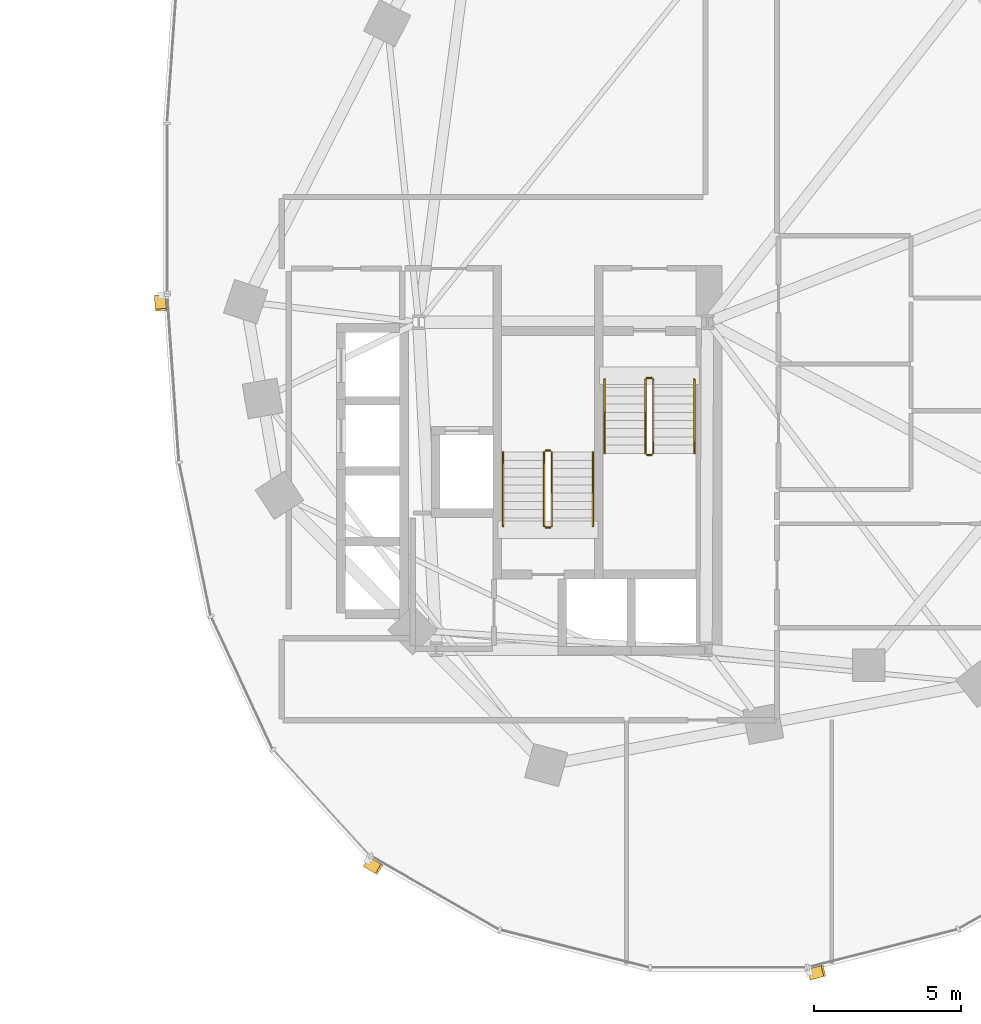
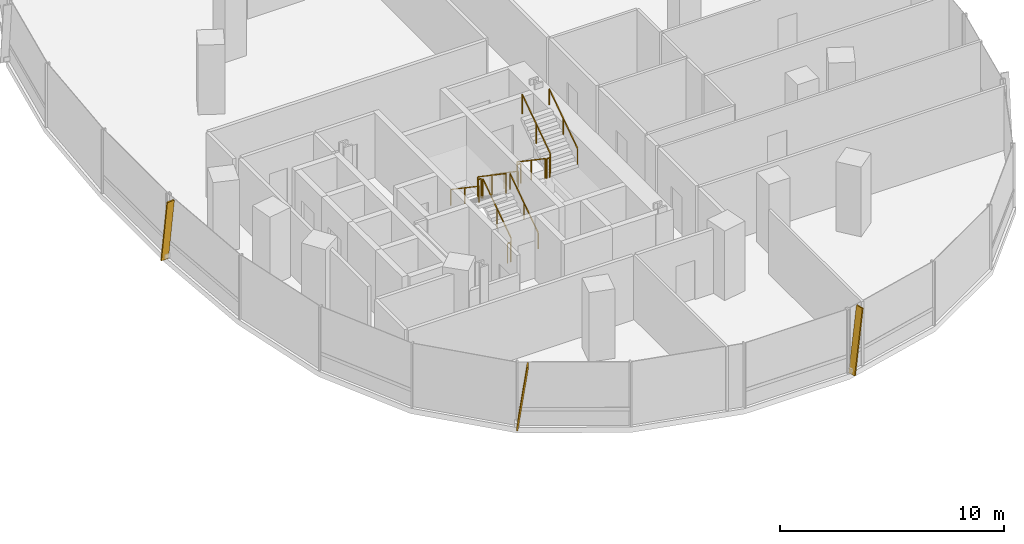
# One storey, part 20 of 21: 12 railings, 3 shading devices.
"""IFC4 building model written with IfcOpenShell, lengths in metres."""

from ifc_helpers import new_model, si_unit, direction, frame, origin, origin_2d, place, context, subcontext, project, spatial, rectangle, extrude, material, material_profile, profile_set, type_object, element, save


model = new_model("IFC4")

# Units and contexts
model_context = context("Model", 3, precision=1e-05, world=origin(), true_north=direction((0.0, 1.0)))
body_context = subcontext(model_context, "Body", "Model", "MODEL_VIEW")
ifc_project = project(units=[si_unit("LENGTHUNIT", "METRE"), si_unit("AREAUNIT", "SQUARE_METRE"), si_unit("VOLUMEUNIT", "CUBIC_METRE"), si_unit("PLANEANGLEUNIT", "RADIAN"), si_unit("MASSUNIT", "GRAM", prefix="KILO"), si_unit("THERMODYNAMICTEMPERATUREUNIT", "KELVIN"), si_unit("POWERUNIT", "WATT")], contexts=[model_context])

# Site, building, storey
site_placement = place(None, origin())
site = spatial("IfcSite", under=ifc_project, at=site_placement, CompositionType="ELEMENT")
building_placement = place(site_placement, origin())
building = spatial("IfcBuilding", under=site, at=building_placement, Name="Cundina Bronze Exchange", CompositionType="ELEMENT")
storey_placement = place(building_placement, frame((0.0, 0.0, 31.60009765625)))
storey = spatial("IfcBuildingStorey", under=building, at=storey_placement, Name="L07", CompositionType="ELEMENT", Elevation=31.60009765625)

# Railings
ifc_material_1 = material(Name="Steel ASTM A36 Painted", Category="steel")
railing_type_1 = type_object("IfcRailingType", Name="RLG-HND-900", PredefinedType="HANDRAIL", material=ifc_material_1)
railing_1_placement = place(storey_placement, frame((27.7900390625, -5.85009765625, 0.18994140625)))
element("IfcRailing", 1, at=railing_1_placement, inside=storey, type_object=railing_type_1, Name="L07 ST-E1 stair handrail 1", PredefinedType="HANDRAIL", context=body_context, shape_type="SweptSolid", body=[
    extrude(rectangle(XDim=0.048095703125, YDim=0.048095703125, at=origin_2d()), frame((0.0, 0.0, 0.8759765625), z_axis=(0.0, -0.827483756001, 0.561489655786), x_axis=(1.0, 0.0, 0.0)), (0.0, 0.0, 1.0), 3.04541015625),
    extrude(rectangle(XDim=0.0419921875, YDim=0.0419921875, at=origin_2d()), origin(), (0.0, 0.0, 1.0), 0.851806640625),
    extrude(rectangle(XDim=0.0419921875, YDim=0.0419921875, at=origin_2d()), frame((0.0, -1.260009765625, 0.85498046875)), (0.0, 0.0, 1.0), 0.851806640625),
    extrude(rectangle(XDim=0.0419921875, YDim=0.0419921875, at=origin_2d()), frame((0.0, -2.52001953125, 1.7099609375)), (0.0, 0.0, 1.0), 0.851806640625),
])
for number, where, name in (
    (2, (30.85009765625, -8.3701171875, 2.08984375), "L07 ST-E1 stair handrail 2"),
    (3, (27.389892578125, -10.85009765625, 0.18994140625), "L07 ST-E2 stair handrail 1"),
):
    element("IfcRailing", number, at=place(storey_placement, frame(where)), inside=storey, type_object=railing_type_1, Name=name, PredefinedType="HANDRAIL", context=body_context, shape_type="SweptSolid", body=[
        extrude(rectangle(XDim=0.048095703125, YDim=0.048095703125, at=origin_2d()), frame((0.0, 0.0, 0.8759765625), z_axis=(0.0, 0.827483756001, 0.561489655786), x_axis=(-1.0, 0.0, 0.0)), (0.0, 0.0, 1.0), 3.04541015625),
        extrude(rectangle(XDim=0.0419921875, YDim=0.0419921875, at=origin_2d()), origin(), (0.0, 0.0, 1.0), 0.851806640625),
        extrude(rectangle(XDim=0.0419921875, YDim=0.0419921875, at=origin_2d()), frame((0.0, 1.260009765625, 0.85498046875)), (0.0, 0.0, 1.0), 0.851806640625),
        extrude(rectangle(XDim=0.0419921875, YDim=0.0419921875, at=origin_2d()), frame((0.0, 2.52001953125, 1.7099609375)), (0.0, 0.0, 1.0), 0.851806640625),
    ])
railing_2_placement = place(storey_placement, frame((24.330078125, -8.330078125, 2.08984375)))
element("IfcRailing", 4, at=railing_2_placement, inside=storey, type_object=railing_type_1, Name="L07 ST-E2 stair handrail 2", PredefinedType="HANDRAIL", context=body_context, shape_type="SweptSolid", body=[
    extrude(rectangle(XDim=0.048095703125, YDim=0.048095703125, at=origin_2d()), frame((0.0, 0.0, 0.8759765625), z_axis=(0.0, -0.827483756001, 0.561489655786), x_axis=(1.0, 0.0, 0.0)), (0.0, 0.0, 1.0), 3.04541015625),
    extrude(rectangle(XDim=0.0419921875, YDim=0.0419921875, at=origin_2d()), origin(), (0.0, 0.0, 1.0), 0.851806640625),
    extrude(rectangle(XDim=0.0419921875, YDim=0.0419921875, at=origin_2d()), frame((0.0, -1.260009765625, 0.85498046875)), (0.0, 0.0, 1.0), 0.851806640625),
    extrude(rectangle(XDim=0.0419921875, YDim=0.0419921875, at=origin_2d()), frame((0.0, -2.52001953125, 1.7099609375)), (0.0, 0.0, 1.0), 0.851806640625),
])
railing_type_2 = type_object("IfcRailingType", Name="RLG-STG-1100", PredefinedType="GUARDRAIL", material=ifc_material_1)
railing_3_placement = place(storey_placement, frame((29.18994140625, -5.85009765625, 0.18994140625)))
element("IfcRailing", 5, at=railing_3_placement, inside=storey, type_object=railing_type_2, Name="L07 ST-E1 stair guard 1", PredefinedType="GUARDRAIL", context=body_context, shape_type="SweptSolid", body=[
    extrude(rectangle(XDim=0.048095703125, YDim=0.048095703125, at=origin_2d()), frame((0.0, 0.0, 1.076171875), z_axis=(0.0, -0.827483756001, 0.561489655786), x_axis=(1.0, 0.0, 0.0)), (0.0, 0.0, 1.0), 3.04541015625),
    extrude(rectangle(XDim=0.0419921875, YDim=0.0419921875, at=origin_2d()), origin(), (0.0, 0.0, 1.0), 1.052001953125),
    extrude(rectangle(XDim=0.0419921875, YDim=0.0419921875, at=origin_2d()), frame((0.0, -1.260009765625, 0.85498046875)), (0.0, 0.0, 1.0), 1.052001953125),
    extrude(rectangle(XDim=0.0419921875, YDim=0.0419921875, at=origin_2d()), frame((0.0, -2.52001953125, 1.7099609375)), (0.0, 0.0, 1.0), 1.052001953125),
])
railing_4_placement = place(storey_placement, frame((29.239990234375, -8.419921875, 1.89990234375)))
element("IfcRailing", 6, at=railing_4_placement, inside=storey, type_object=railing_type_2, Name="L07 ST-E1 stair guard 2", PredefinedType="GUARDRAIL", context=body_context, shape_type="SweptSolid", body=[
    extrude(rectangle(XDim=0.048095703125, YDim=0.048095703125, at=origin_2d()), frame((0.0, 0.0, 1.076171875), z_axis=(1.0, 0.0, 0.0), x_axis=(0.0, 1.0, 0.0)), (0.0, 0.0, 1.0), 0.159912109375),
    extrude(rectangle(XDim=0.0419921875, YDim=0.0419921875, at=origin_2d()), origin(), (0.0, 0.0, 1.0), 1.052001953125),
    extrude(rectangle(XDim=0.0419921875, YDim=0.0419921875, at=origin_2d()), frame((0.159912109375, 0.0, 0.0)), (0.0, 0.0, 1.0), 1.052001953125),
])
railing_5_placement = place(storey_placement, frame((29.449951171875, -8.3701171875, 2.08984375)))
element("IfcRailing", 7, at=railing_5_placement, inside=storey, type_object=railing_type_2, Name="L07 ST-E1 stair guard 3", PredefinedType="GUARDRAIL", context=body_context, shape_type="SweptSolid", body=[
    extrude(rectangle(XDim=0.048095703125, YDim=0.048095703125, at=origin_2d()), frame((0.0, 0.0, 1.076171875), z_axis=(0.0, 0.827483756001, 0.561489655786), x_axis=(-1.0, 0.0, 0.0)), (0.0, 0.0, 1.0), 3.04541015625),
    extrude(rectangle(XDim=0.0419921875, YDim=0.0419921875, at=origin_2d()), origin(), (0.0, 0.0, 1.0), 1.052001953125),
    extrude(rectangle(XDim=0.0419921875, YDim=0.0419921875, at=origin_2d()), frame((0.0, 1.260009765625, 0.85498046875)), (0.0, 0.0, 1.0), 1.052001953125),
    extrude(rectangle(XDim=0.0419921875, YDim=0.0419921875, at=origin_2d()), frame((0.0, 2.52001953125, 1.7099609375)), (0.0, 0.0, 1.0), 1.052001953125),
])
railing_6_placement = place(storey_placement, frame((29.239990234375, -5.800048828125, 0.0)))
element("IfcRailing", 8, at=railing_6_placement, inside=storey, type_object=railing_type_2, Name="L07 ST-E1 stair guard 4", PredefinedType="GUARDRAIL", context=body_context, shape_type="SweptSolid", body=[
    extrude(rectangle(XDim=0.048095703125, YDim=0.048095703125, at=origin_2d()), frame((0.0, 0.0, 1.076171875), z_axis=(1.0, 0.0, 0.0), x_axis=(0.0, 1.0, 0.0)), (0.0, 0.0, 1.0), 0.159912109375),
    extrude(rectangle(XDim=0.0419921875, YDim=0.0419921875, at=origin_2d()), origin(), (0.0, 0.0, 1.0), 1.052001953125),
    extrude(rectangle(XDim=0.0419921875, YDim=0.0419921875, at=origin_2d()), frame((0.159912109375, 0.0, 0.0)), (0.0, 0.0, 1.0), 1.052001953125),
])
railing_7_placement = place(storey_placement, frame((25.989990234375, -10.85009765625, 0.18994140625)))
element("IfcRailing", 9, at=railing_7_placement, inside=storey, type_object=railing_type_2, Name="L07 ST-E2 stair guard 1", PredefinedType="GUARDRAIL", context=body_context, shape_type="SweptSolid", body=[
    extrude(rectangle(XDim=0.048095703125, YDim=0.048095703125, at=origin_2d()), frame((0.0, 0.0, 1.076171875), z_axis=(0.0, 0.827483756001, 0.561489655786), x_axis=(-1.0, 0.0, 0.0)), (0.0, 0.0, 1.0), 3.04541015625),
    extrude(rectangle(XDim=0.0419921875, YDim=0.0419921875, at=origin_2d()), origin(), (0.0, 0.0, 1.0), 1.052001953125),
    extrude(rectangle(XDim=0.0419921875, YDim=0.0419921875, at=origin_2d()), frame((0.0, 1.260009765625, 0.85498046875)), (0.0, 0.0, 1.0), 1.052001953125),
    extrude(rectangle(XDim=0.0419921875, YDim=0.0419921875, at=origin_2d()), frame((0.0, 2.52001953125, 1.7099609375)), (0.0, 0.0, 1.0), 1.052001953125),
])
railing_8_placement = place(storey_placement, frame((25.93994140625, -8.280029296875, 1.89990234375)))
element("IfcRailing", 10, at=railing_8_placement, inside=storey, type_object=railing_type_2, Name="L07 ST-E2 stair guard 2", PredefinedType="GUARDRAIL", context=body_context, shape_type="SweptSolid", body=[
    extrude(rectangle(XDim=0.048095703125, YDim=0.048095703125, at=origin_2d()), frame((0.0, 0.0, 1.076171875), z_axis=(-1.0, 0.0, 0.0), x_axis=(0.0, -1.0, 0.0)), (0.0, 0.0, 1.0), 0.159912109375),
    extrude(rectangle(XDim=0.0419921875, YDim=0.0419921875, at=origin_2d()), origin(), (0.0, 0.0, 1.0), 1.052001953125),
    extrude(rectangle(XDim=0.0419921875, YDim=0.0419921875, at=origin_2d()), frame((-0.159912109375, 0.0, 0.0)), (0.0, 0.0, 1.0), 1.052001953125),
])
railing_9_placement = place(storey_placement, frame((25.72998046875, -8.330078125, 2.08984375)))
element("IfcRailing", 11, at=railing_9_placement, inside=storey, type_object=railing_type_2, Name="L07 ST-E2 stair guard 3", PredefinedType="GUARDRAIL", context=body_context, shape_type="SweptSolid", body=[
    extrude(rectangle(XDim=0.048095703125, YDim=0.048095703125, at=origin_2d()), frame((0.0, 0.0, 1.076171875), z_axis=(0.0, -0.827483756001, 0.561489655786), x_axis=(1.0, 0.0, 0.0)), (0.0, 0.0, 1.0), 3.04541015625),
    extrude(rectangle(XDim=0.0419921875, YDim=0.0419921875, at=origin_2d()), origin(), (0.0, 0.0, 1.0), 1.052001953125),
    extrude(rectangle(XDim=0.0419921875, YDim=0.0419921875, at=origin_2d()), frame((0.0, -1.260009765625, 0.85498046875)), (0.0, 0.0, 1.0), 1.052001953125),
    extrude(rectangle(XDim=0.0419921875, YDim=0.0419921875, at=origin_2d()), frame((0.0, -2.52001953125, 1.7099609375)), (0.0, 0.0, 1.0), 1.052001953125),
])
railing_10_placement = place(storey_placement, frame((25.93994140625, -10.89990234375, 0.0)))
element("IfcRailing", 12, at=railing_10_placement, inside=storey, type_object=railing_type_2, Name="L07 ST-E2 stair guard 4", PredefinedType="GUARDRAIL", context=body_context, shape_type="SweptSolid", body=[
    extrude(rectangle(XDim=0.048095703125, YDim=0.048095703125, at=origin_2d()), frame((0.0, 0.0, 1.076171875), z_axis=(-1.0, 0.0, 0.0), x_axis=(0.0, -1.0, 0.0)), (0.0, 0.0, 1.0), 0.159912109375),
    extrude(rectangle(XDim=0.0419921875, YDim=0.0419921875, at=origin_2d()), origin(), (0.0, 0.0, 1.0), 1.052001953125),
    extrude(rectangle(XDim=0.0419921875, YDim=0.0419921875, at=origin_2d()), frame((-0.159912109375, 0.0, 0.0)), (0.0, 0.0, 1.0), 1.052001953125),
])

# Shading devices
ifc_material_2 = material(Name="Anodised Bronze Aluminium 6063-T6", Category="aluminium")
ifc_material_profile = material_profile(ifc_material_2, rectangle(XDim=0.070068359375, YDim=0.3798828125, at=origin_2d()), Name="FIN70X380", Category="aluminium")
ifc_profile_set = profile_set([ifc_material_profile], Name="Anodised Bronze Aluminium 6063-T6")
shading_device_type = type_object("IfcShadingDeviceType", Name="SHD-FIN-BRZ380", PredefinedType="USERDEFINED", material=ifc_profile_set)
for number, where, z_axis, x_axis, name in (
    (13, (12.6259765625, -2.993896484375, 0.02001953125), (0.009645159174, -0.137059109714, 0.990515911709), (-0.06953288269, 0.988072340253, 0.137398066402), "L07 Diagonal Bronze Solar Fin 1"),
    (14, (19.685791015625, -22.314208984375, 0.02001953125), (0.119166378275, -0.06842456559, 0.990513731915), (-0.85898178632, 0.493221799887, 0.137413779831), "L07 Diagonal Bronze Solar Fin 5"),
    (15, (34.787353515625, -26.138427734375, 0.02001953125), (0.133214830938, 0.033688115694, 0.990514472221), (-0.960284642503, -0.242842181368, 0.137408443412), "L07 Diagonal Bronze Solar Fin 1"),
):
    element("IfcShadingDevice", number, at=place(storey_placement, frame(where, z_axis=z_axis, x_axis=x_axis)), inside=storey, type_object=shading_device_type, Name=name, ObjectType="FIN", PredefinedType="USERDEFINED", context=body_context, shape_type="SweptSolid", body=[
        extrude(rectangle(XDim=0.070068359375, YDim=0.3798828125, at=origin_2d()), origin(), (0.0, 0.0, 1.0), 3.4931640625),
    ])

save(model, "model.ifc")
